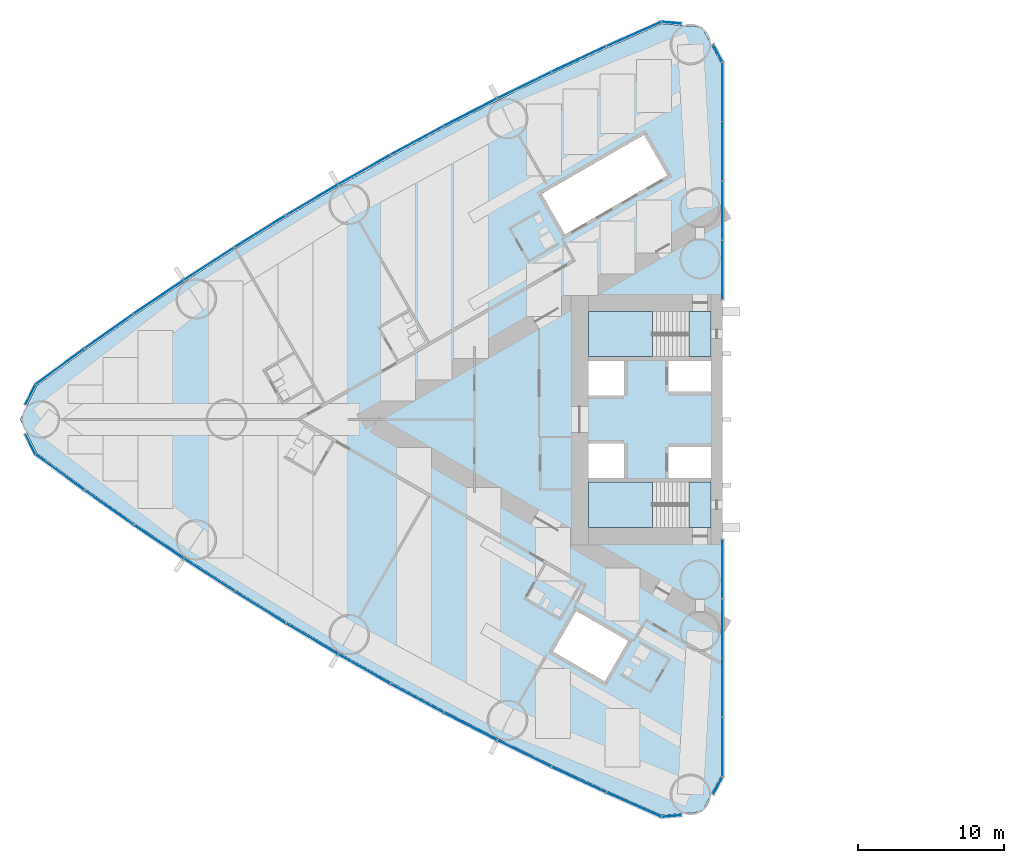
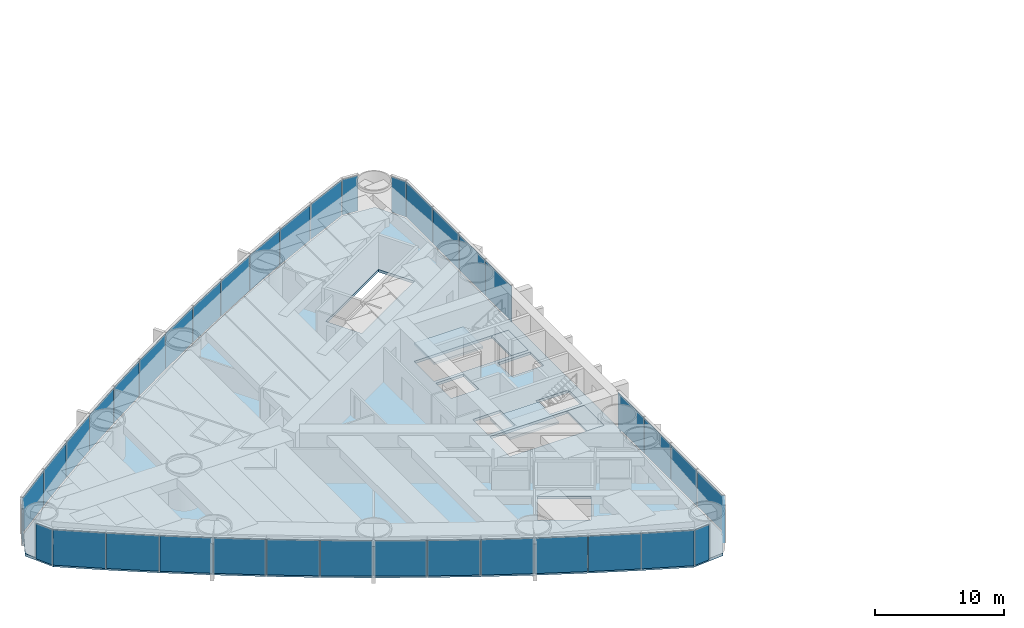
# One storey, part 9 of 19: 38 plates, 5 slabs, 6 elements without a shape of their own.
"""IFC4 building model written with IfcOpenShell, lengths in metres."""

from ifc_helpers import new_model, si_unit, direction, frame, origin, origin_2d, place, context, subcontext, project, spatial, polyline, rectangle, outline, extrude, material, layer, layer_set, type_object, element, aggregate, save


model = new_model("IFC4")

# Units and contexts
model_context = context("Model", 3, precision=1e-05, world=origin(), true_north=direction((0.0, 1.0)))
body_context = subcontext(model_context, "Body", "Model", "MODEL_VIEW")
ifc_project = project(units=[si_unit("LENGTHUNIT", "METRE"), si_unit("AREAUNIT", "SQUARE_METRE"), si_unit("VOLUMEUNIT", "CUBIC_METRE"), si_unit("PLANEANGLEUNIT", "RADIAN"), si_unit("MASSUNIT", "GRAM", prefix="KILO")], contexts=[model_context])

# Site, building, storey
site_placement = place(None, origin())
site = spatial("IfcSite", under=ifc_project, at=site_placement, CompositionType="ELEMENT")
building_placement = place(site_placement, origin())
building = spatial("IfcBuilding", under=site, at=building_placement, Name="Lancet Gate Hotel", CompositionType="ELEMENT")
storey_placement = place(building_placement, frame((0.0, 0.0, 67.0)))
storey = spatial("IfcBuildingStorey", under=building, at=storey_placement, Name="L17", CompositionType="ELEMENT", Elevation=67.0)

# Slab
ifc_material_1 = material(Name="Concrete C50/60", Category="concrete")
ifc_layer_1 = layer(ifc_material_1, 0.25)
ifc_layer_set_1 = layer_set([ifc_layer_1], Name="Floor slab 250")
slab_type_1 = type_object("IfcSlabType", Name="Floor slab 250", PredefinedType="FLOOR", material=ifc_layer_set_1)
slab_1_placement = place(storey_placement, frame((0.0, 0.0, -0.25)))
element("IfcSlab", 1, at=slab_1_placement, inside=storey, type_object=slab_type_1, Name="T1 L17 floor slab", PredefinedType="FLOOR", context=body_context, shape_type="SweptSolid", body=[
    extrude(outline(polyline([(-27.5, 8.60009765625), (-27.6201171875, 8.60009765625), (-27.6201171875, 24.4609375), (-28.926513671875, 26.8837890625), (-31.668212890625, 27.12353515625), (-35.424072265625, 25.458740234375), (-39.173583984375, 23.70849609375), (-42.887939453125, 21.884765625), (-46.56591796875, 19.98876953125), (-50.2060546875, 18.02099609375), (-53.806884765625, 15.982421875), (-57.366943359375, 13.87353515625), (-60.88525390625, 11.695068359375), (-64.360107421875, 9.448486328125), (-67.7900390625, 7.134033203125), (-71.17431640625, 4.752685546875), (-74.488525390625, 2.322021484375), (-75.65087890625, 0.0), (-74.488525390625, -2.322021484375), (-71.17431640625, -4.752685546875), (-67.7900390625, -7.134033203125), (-64.360107421875, -9.448486328125), (-60.88525390625, -11.695068359375), (-57.366943359375, -13.87353515625), (-53.806884765625, -15.982421875), (-50.2060546875, -18.02099609375), (-46.56591796875, -19.98876953125), (-42.887939453125, -21.884765625), (-39.173583984375, -23.70849609375), (-35.424072265625, -25.458740234375), (-31.668212890625, -27.12353515625), (-28.926513671875, -26.8837890625), (-27.6201171875, -24.4609375), (-27.6201171875, -8.60009765625), (-27.5, -8.60009765625), (-27.5, -8.199951171875), (-27.5, 8.199951171875), (-27.5, 8.60009765625)]), holes=[polyline([(-36.699951171875, 7.39990234375), (-36.699951171875, 4.300048828125), (-28.300048828125, 4.300048828125), (-28.300048828125, 7.39990234375), (-36.699951171875, 7.39990234375)]), polyline([(-28.300048828125, 4.0), (-31.199951171875, 4.0), (-31.199951171875, 1.89990234375), (-28.300048828125, 1.89990234375), (-28.300048828125, 4.0)]), polyline([(-34.25, 4.0), (-36.699951171875, 4.0), (-36.699951171875, 1.64990234375), (-34.25, 1.64990234375), (-34.25, 4.0)]), polyline([(-36.699951171875, -1.64990234375), (-36.699951171875, -4.0), (-34.25, -4.0), (-34.25, -1.64990234375), (-36.699951171875, -1.64990234375)]), polyline([(-28.300048828125, -1.89990234375), (-31.199951171875, -1.89990234375), (-31.199951171875, -4.0), (-28.300048828125, -4.0), (-28.300048828125, -1.89990234375)]), polyline([(-28.300048828125, -4.300048828125), (-36.699951171875, -4.300048828125), (-36.699951171875, -7.39990234375), (-28.300048828125, -7.39990234375), (-28.300048828125, -4.300048828125)]), polyline([(-31.2900390625, 16.73095703125), (-32.889892578125, 19.501953125), (-39.904052734375, 15.451904296875), (-38.303955078125, 12.680908203125), (-31.2900390625, 16.73095703125)]), polyline([(-33.97412109375, -15.180908203125), (-37.52490234375, -13.131103515625), (-39.125, -15.902099609375), (-35.573974609375, -17.951904296875), (-33.97412109375, -15.180908203125)])]), origin(), (0.0, 0.0, 1.0), 0.25),
])

# Stair, slabs
ifc_material_2 = material(Name="Exit stair 20 risers 1500")
stair_type = type_object("IfcStairType", Name="Exit stair 20 risers 1500", PredefinedType="HALF_TURN_STAIR", material=ifc_material_2)
stair_1_placement = place(storey_placement, origin())
stair_1 = element("IfcStair", 2, at=stair_1_placement, inside=storey, type_object=stair_type, Name="T1 stair 1 L17", PredefinedType="HALF_TURN_STAIR")
ifc_material_3 = material(Name="Concrete C40/50", Category="concrete")
ifc_layer_2 = layer(ifc_material_3, 0.199951171875)
ifc_layer_set_2 = layer_set([ifc_layer_2], Name="Stair landing 200")
slab_type_2 = type_object("IfcSlabType", Name="Stair landing 200", PredefinedType="LANDING", material=ifc_layer_set_2)
slab_2_placement = place(storey_placement, frame((0.0, 0.0, -0.199951171875)))
slab_2 = element("IfcSlab", 3, at=slab_2_placement, type_object=slab_type_2, Name="ST1 landing 1", PredefinedType="LANDING", context=body_context, shape_type="SweptSolid", body=[
    extrude(outline(polyline([(-28.300048828125, 7.39990234375), (-29.800048828125, 7.39990234375), (-29.800048828125, 4.300048828125), (-28.300048828125, 4.300048828125), (-28.300048828125, 7.39990234375)])), origin(), (0.0, 0.0, 1.0), 0.199951171875),
])
slab_3_placement = place(storey_placement, frame((0.0, 0.0, 1.550048828125)))
slab_3 = element("IfcSlab", 4, at=slab_3_placement, type_object=slab_type_2, Name="ST1 landing 2", PredefinedType="LANDING", context=body_context, shape_type="SweptSolid", body=[
    extrude(outline(polyline([(-32.320068359375, 7.39990234375), (-36.699951171875, 7.39990234375), (-36.699951171875, 4.300048828125), (-32.320068359375, 4.300048828125), (-32.320068359375, 7.39990234375)])), origin(), (0.0, 0.0, 1.0), 0.199951171875),
])
aggregate(stair_1, [slab_2, slab_3])

stair_2_placement = place(storey_placement, origin())
stair_2 = element("IfcStair", 5, at=stair_2_placement, inside=storey, type_object=stair_type, Name="T1 stair 2 L17", PredefinedType="HALF_TURN_STAIR")
slab_4_placement = place(storey_placement, frame((0.0, 0.0, -0.199951171875)))
slab_4 = element("IfcSlab", 6, at=slab_4_placement, type_object=slab_type_2, Name="ST2 landing 1", PredefinedType="LANDING", context=body_context, shape_type="SweptSolid", body=[
    extrude(outline(polyline([(-28.300048828125, -4.300048828125), (-29.800048828125, -4.300048828125), (-29.800048828125, -7.39990234375), (-28.300048828125, -7.39990234375), (-28.300048828125, -4.300048828125)])), origin(), (0.0, 0.0, 1.0), 0.199951171875),
])
slab_5_placement = place(storey_placement, frame((0.0, 0.0, 1.550048828125)))
slab_5 = element("IfcSlab", 7, at=slab_5_placement, type_object=slab_type_2, Name="ST2 landing 2", PredefinedType="LANDING", context=body_context, shape_type="SweptSolid", body=[
    extrude(outline(polyline([(-32.320068359375, -4.300048828125), (-36.699951171875, -4.300048828125), (-36.699951171875, -7.39990234375), (-32.320068359375, -7.39990234375), (-32.320068359375, -4.300048828125)])), origin(), (0.0, 0.0, 1.0), 0.199951171875),
])
aggregate(stair_2, [slab_4, slab_5])

# Curtain wall, plates
ifc_material_4 = material(Name="Aluminium curtain wall", Category="aluminium")
curtain_wall_type = type_object("IfcCurtainWallType", Name="Tower unitised curtain wall", PredefinedType="USERDEFINED", material=ifc_material_4)
curtain_wall_1_placement = place(storey_placement, origin())
curtain_wall_1 = element("IfcCurtainWall", 8, at=curtain_wall_1_placement, inside=storey, type_object=curtain_wall_type, Name="T1 L17 curtain wall 1", ObjectType="UNITISED CURTAIN WALL", PredefinedType="USERDEFINED")
ifc_material_5 = material(Name="Glass double glazed unit 8-16-6", Category="glass")
ifc_layer_3 = layer(ifc_material_5, 0.030029296875)
ifc_layer_set_3 = layer_set([ifc_layer_3], Name="Vision panel double glazed")
plate_type = type_object("IfcPlateType", Name="Vision panel double glazed", PredefinedType="CURTAIN_PANEL", material=ifc_layer_set_3)
plate_1_placement = place(storey_placement, frame((-27.5, 10.236328125, 0.0), z_axis=(0.0, 0.0, 1.0), x_axis=(0.0, 1.0, 0.0)))
plate_1 = element("IfcPlate", 9, at=plate_1_placement, type_object=plate_type, Name="T1 L17 curtain wall 1 panel 1", PredefinedType="CURTAIN_PANEL", context=body_context, shape_type="SweptSolid", body=[
    extrude(rectangle(XDim=4.0078125, YDim=0.030029296875, at=origin_2d()), origin(), (0.0, 0.0, 1.0), 3.35009765625),
])
plate_2_placement = place(storey_placement, frame((-27.5, 14.30908203125, 0.0), z_axis=(0.0, 0.0, 1.0), x_axis=(0.0, 1.0, 0.0)))
plate_2 = element("IfcPlate", 10, at=plate_2_placement, type_object=plate_type, Name="T1 L17 curtain wall 1 panel 2", PredefinedType="CURTAIN_PANEL", context=body_context, shape_type="SweptSolid", body=[
    extrude(rectangle(XDim=4.0078125, YDim=0.030029296875, at=origin_2d()), origin(), (0.0, 0.0, 1.0), 3.35009765625),
])
plate_3_placement = place(storey_placement, frame((-27.5, 18.382080078125, 0.0), z_axis=(0.0, 0.0, 1.0), x_axis=(0.0, 1.0, 0.0)))
plate_3 = element("IfcPlate", 11, at=plate_3_placement, type_object=plate_type, Name="T1 L17 curtain wall 1 panel 3", PredefinedType="CURTAIN_PANEL", context=body_context, shape_type="SweptSolid", body=[
    extrude(rectangle(XDim=4.0078125, YDim=0.030029296875, at=origin_2d()), origin(), (0.0, 0.0, 1.0), 3.35009765625),
])
plate_4_placement = place(storey_placement, frame((-27.5, 22.454833984375, 0.0), z_axis=(0.0, 0.0, 1.0), x_axis=(0.0, 1.0, 0.0)))
plate_4 = element("IfcPlate", 12, at=plate_4_placement, type_object=plate_type, Name="T1 L17 curtain wall 1 panel 4", PredefinedType="CURTAIN_PANEL", context=body_context, shape_type="SweptSolid", body=[
    extrude(rectangle(XDim=4.0078125, YDim=0.030029296875, at=origin_2d()), origin(), (0.0, 0.0, 1.0), 3.35009765625),
])
plate_5_placement = place(storey_placement, frame((-27.829345703125, 25.10205078125, 0.0), z_axis=(0.0, 0.0, 1.0), x_axis=(-0.474631040972, 0.880184852714, 0.0)))
plate_5 = element("IfcPlate", 13, at=plate_5_placement, type_object=plate_type, Name="T1 L17 curtain wall 1 panel 5", PredefinedType="CURTAIN_PANEL", context=body_context, shape_type="SweptSolid", body=[
    extrude(rectangle(XDim=1.322998046875, YDim=0.030029296875, at=origin_2d()), origin(), (0.0, 0.0, 1.0), 3.35009765625),
])
aggregate(curtain_wall_1, [plate_1, plate_2, plate_3, plate_4, plate_5])

curtain_wall_2_placement = place(storey_placement, origin())
curtain_wall_2 = element("IfcCurtainWall", 14, at=curtain_wall_2_placement, inside=storey, type_object=curtain_wall_type, Name="T1 L17 curtain wall 2", ObjectType="UNITISED CURTAIN WALL", PredefinedType="USERDEFINED")
plate_6_placement = place(storey_placement, frame((-30.99658203125, 27.185302734375, 0.0), z_axis=(0.0, 0.0, 1.0), x_axis=(-0.99620380374, 0.087051602022, 0.0)))
plate_6 = element("IfcPlate", 15, at=plate_6_placement, type_object=plate_type, Name="T1 L17 curtain wall 2 panel 1", PredefinedType="CURTAIN_PANEL", context=body_context, shape_type="SweptSolid", body=[
    extrude(rectangle(XDim=1.32421875, YDim=0.030029296875, at=origin_2d()), origin(), (0.0, 0.0, 1.0), 3.35009765625),
])
plate_7_placement = place(storey_placement, frame((-33.581298828125, 26.406982421875, 0.0), z_axis=(0.0, 0.0, 1.0), x_axis=(-0.914234183208, -0.405186201954, 0.0)))
plate_7 = element("IfcPlate", 16, at=plate_7_placement, type_object=plate_type, Name="T1 L17 curtain wall 2 panel 2", PredefinedType="CURTAIN_PANEL", context=body_context, shape_type="SweptSolid", body=[
    extrude(rectangle(XDim=4.0751953125, YDim=0.030029296875, at=origin_2d()), origin(), (0.0, 0.0, 1.0), 3.35009765625),
])
plate_8_placement = place(storey_placement, frame((-37.349609375, 24.6923828125, 0.0), z_axis=(0.0, 0.0, 1.0), x_axis=(-0.906117767284, -0.423025521467, 0.0)))
plate_8 = element("IfcPlate", 17, at=plate_8_placement, type_object=plate_type, Name="T1 L17 curtain wall 2 panel 3", PredefinedType="CURTAIN_PANEL", context=body_context, shape_type="SweptSolid", body=[
    extrude(rectangle(XDim=4.0751953125, YDim=0.030029296875, at=origin_2d()), origin(), (0.0, 0.0, 1.0), 3.35009765625),
])
plate_9_placement = place(storey_placement, frame((-41.083740234375, 22.904296875, 0.0), z_axis=(0.0, 0.0, 1.0), x_axis=(-0.897653295642, -0.440702349463, 0.0)))
plate_9 = element("IfcPlate", 18, at=plate_9_placement, type_object=plate_type, Name="T1 L17 curtain wall 2 panel 4", PredefinedType="CURTAIN_PANEL", context=body_context, shape_type="SweptSolid", body=[
    extrude(rectangle(XDim=4.0751953125, YDim=0.030029296875, at=origin_2d()), origin(), (0.0, 0.0, 1.0), 3.35009765625),
])
plate_10_placement = place(storey_placement, frame((-44.781982421875, 21.04345703125, 0.0), z_axis=(0.0, 0.0, 1.0), x_axis=(-0.888844019644, -0.458209895946, 0.0)))
plate_10 = element("IfcPlate", 19, at=plate_10_placement, type_object=plate_type, Name="T1 L17 curtain wall 2 panel 5", PredefinedType="CURTAIN_PANEL", context=body_context, shape_type="SweptSolid", body=[
    extrude(rectangle(XDim=4.0751953125, YDim=0.030029296875, at=origin_2d()), origin(), (0.0, 0.0, 1.0), 3.35009765625),
])
plate_11_placement = place(storey_placement, frame((-48.443115234375, 19.110595703125, 0.0), z_axis=(0.0, 0.0, 1.0), x_axis=(-0.87969332307, -0.475541435993, 0.0)))
plate_11 = element("IfcPlate", 20, at=plate_11_placement, type_object=plate_type, Name="T1 L17 curtain wall 2 panel 6", PredefinedType="CURTAIN_PANEL", context=body_context, shape_type="SweptSolid", body=[
    extrude(rectangle(XDim=4.0751953125, YDim=0.030029296875, at=origin_2d()), origin(), (0.0, 0.0, 1.0), 3.35009765625),
])
plate_12_placement = place(storey_placement, frame((-52.065673828125, 17.106201171875, 0.0), z_axis=(0.0, 0.0, 1.0), x_axis=(-0.870204720871, -0.492690312238, 0.0)))
plate_12 = element("IfcPlate", 21, at=plate_12_placement, type_object=plate_type, Name="T1 L17 curtain wall 2 panel 7", PredefinedType="CURTAIN_PANEL", context=body_context, shape_type="SweptSolid", body=[
    extrude(rectangle(XDim=4.0751953125, YDim=0.030029296875, at=origin_2d()), origin(), (0.0, 0.0, 1.0), 3.35009765625),
])
plate_13_placement = place(storey_placement, frame((-55.648193359375, 15.031005859375, 0.0), z_axis=(0.0, 0.0, 1.0), x_axis=(-0.860381857795, -0.509649937484, 0.0)))
plate_13 = element("IfcPlate", 22, at=plate_13_placement, type_object=plate_type, Name="T1 L17 curtain wall 2 panel 8", PredefinedType="CURTAIN_PANEL", context=body_context, shape_type="SweptSolid", body=[
    extrude(rectangle(XDim=4.0751953125, YDim=0.030029296875, at=origin_2d()), origin(), (0.0, 0.0, 1.0), 3.35009765625),
])
plate_14_placement = place(storey_placement, frame((-59.189208984375, 12.88623046875, 0.0), z_axis=(0.0, 0.0, 1.0), x_axis=(-0.850228506958, -0.52641379727, 0.0)))
plate_14 = element("IfcPlate", 23, at=plate_14_placement, type_object=plate_type, Name="T1 L17 curtain wall 2 panel 9", PredefinedType="CURTAIN_PANEL", context=body_context, shape_type="SweptSolid", body=[
    extrude(rectangle(XDim=4.0751953125, YDim=0.030029296875, at=origin_2d()), origin(), (0.0, 0.0, 1.0), 3.35009765625),
])
plate_15_placement = place(storey_placement, frame((-62.687744140625, 10.672607421875, 0.0), z_axis=(0.0, 0.0, 1.0), x_axis=(-0.839748568448, -0.54297545229, 0.0)))
plate_15 = element("IfcPlate", 24, at=plate_15_placement, type_object=plate_type, Name="T1 L17 curtain wall 2 panel 10", PredefinedType="CURTAIN_PANEL", context=body_context, shape_type="SweptSolid", body=[
    extrude(rectangle(XDim=4.0751953125, YDim=0.030029296875, at=origin_2d()), origin(), (0.0, 0.0, 1.0), 3.35009765625),
])
plate_16_placement = place(storey_placement, frame((-66.142333984375, 8.390625, 0.0), z_axis=(0.0, 0.0, 1.0), x_axis=(-0.828946067803, -0.559328540907, 0.0)))
plate_16 = element("IfcPlate", 25, at=plate_16_placement, type_object=plate_type, Name="T1 L17 curtain wall 2 panel 11", PredefinedType="CURTAIN_PANEL", context=body_context, shape_type="SweptSolid", body=[
    extrude(rectangle(XDim=4.0751953125, YDim=0.030029296875, at=origin_2d()), origin(), (0.0, 0.0, 1.0), 3.35009765625),
])
plate_17_placement = place(storey_placement, frame((-69.55126953125, 6.04150390625, 0.0), z_axis=(0.0, 0.0, 1.0), x_axis=(-0.817825154435, -0.575466781642, 0.0)))
plate_17 = element("IfcPlate", 26, at=plate_17_placement, type_object=plate_type, Name="T1 L17 curtain wall 2 panel 12", PredefinedType="CURTAIN_PANEL", context=body_context, shape_type="SweptSolid", body=[
    extrude(rectangle(XDim=4.0751953125, YDim=0.030029296875, at=origin_2d()), origin(), (0.0, 0.0, 1.0), 3.35009765625),
])
plate_18_placement = place(storey_placement, frame((-72.91357421875, 3.6259765625, 0.0), z_axis=(0.0, 0.0, 1.0), x_axis=(-0.80639010009, -0.591383975499, 0.0)))
plate_18 = element("IfcPlate", 27, at=plate_18_placement, type_object=plate_type, Name="T1 L17 curtain wall 2 panel 13", PredefinedType="CURTAIN_PANEL", context=body_context, shape_type="SweptSolid", body=[
    extrude(rectangle(XDim=4.0751953125, YDim=0.030029296875, at=origin_2d()), origin(), (0.0, 0.0, 1.0), 3.35009765625),
])
plate_19_placement = place(storey_placement, frame((-74.93505859375, 1.6982421875, 0.0), z_axis=(0.0, 0.0, 1.0), x_axis=(-0.447628324726, -0.89421970617, 0.0)))
plate_19 = element("IfcPlate", 28, at=plate_19_placement, type_object=plate_type, Name="T1 L17 curtain wall 2 panel 14", PredefinedType="CURTAIN_PANEL", context=body_context, shape_type="SweptSolid", body=[
    extrude(rectangle(XDim=1.50830078125, YDim=0.030029296875, at=origin_2d()), origin(), (0.0, 0.0, 1.0), 3.35009765625),
])
aggregate(curtain_wall_2, [plate_6, plate_7, plate_8, plate_9, plate_10, plate_11, plate_12, plate_13, plate_14, plate_15, plate_16, plate_17, plate_18, plate_19])

curtain_wall_3_placement = place(storey_placement, origin())
curtain_wall_3 = element("IfcCurtainWall", 29, at=curtain_wall_3_placement, inside=storey, type_object=curtain_wall_type, Name="T1 L17 curtain wall 3", ObjectType="UNITISED CURTAIN WALL", PredefinedType="USERDEFINED")
plate_20_placement = place(storey_placement, frame((-74.93505859375, -1.6982421875, 0.0), z_axis=(0.0, 0.0, 1.0), x_axis=(0.447628324726, -0.89421970617, 0.0)))
plate_20 = element("IfcPlate", 30, at=plate_20_placement, type_object=plate_type, Name="T1 L17 curtain wall 3 panel 1", PredefinedType="CURTAIN_PANEL", context=body_context, shape_type="SweptSolid", body=[
    extrude(rectangle(XDim=1.50830078125, YDim=0.030029296875, at=origin_2d()), origin(), (0.0, 0.0, 1.0), 3.35009765625),
])
plate_21_placement = place(storey_placement, frame((-72.91357421875, -3.6259765625, 0.0), z_axis=(0.0, 0.0, 1.0), x_axis=(0.80639010009, -0.591383975499, 0.0)))
plate_21 = element("IfcPlate", 31, at=plate_21_placement, type_object=plate_type, Name="T1 L17 curtain wall 3 panel 2", PredefinedType="CURTAIN_PANEL", context=body_context, shape_type="SweptSolid", body=[
    extrude(rectangle(XDim=4.0751953125, YDim=0.030029296875, at=origin_2d()), origin(), (0.0, 0.0, 1.0), 3.35009765625),
])
plate_22_placement = place(storey_placement, frame((-69.55126953125, -6.04150390625, 0.0), z_axis=(0.0, 0.0, 1.0), x_axis=(0.817825154435, -0.575466781642, 0.0)))
plate_22 = element("IfcPlate", 32, at=plate_22_placement, type_object=plate_type, Name="T1 L17 curtain wall 3 panel 3", PredefinedType="CURTAIN_PANEL", context=body_context, shape_type="SweptSolid", body=[
    extrude(rectangle(XDim=4.0751953125, YDim=0.030029296875, at=origin_2d()), origin(), (0.0, 0.0, 1.0), 3.35009765625),
])
plate_23_placement = place(storey_placement, frame((-66.142333984375, -8.390625, 0.0), z_axis=(0.0, 0.0, 1.0), x_axis=(0.828946067803, -0.559328540907, 0.0)))
plate_23 = element("IfcPlate", 33, at=plate_23_placement, type_object=plate_type, Name="T1 L17 curtain wall 3 panel 4", PredefinedType="CURTAIN_PANEL", context=body_context, shape_type="SweptSolid", body=[
    extrude(rectangle(XDim=4.0751953125, YDim=0.030029296875, at=origin_2d()), origin(), (0.0, 0.0, 1.0), 3.35009765625),
])
plate_24_placement = place(storey_placement, frame((-62.687744140625, -10.672607421875, 0.0), z_axis=(0.0, 0.0, 1.0), x_axis=(0.839748568448, -0.54297545229, 0.0)))
plate_24 = element("IfcPlate", 34, at=plate_24_placement, type_object=plate_type, Name="T1 L17 curtain wall 3 panel 5", PredefinedType="CURTAIN_PANEL", context=body_context, shape_type="SweptSolid", body=[
    extrude(rectangle(XDim=4.0751953125, YDim=0.030029296875, at=origin_2d()), origin(), (0.0, 0.0, 1.0), 3.35009765625),
])
plate_25_placement = place(storey_placement, frame((-59.189208984375, -12.88623046875, 0.0), z_axis=(0.0, 0.0, 1.0), x_axis=(0.850228506958, -0.52641379727, 0.0)))
plate_25 = element("IfcPlate", 35, at=plate_25_placement, type_object=plate_type, Name="T1 L17 curtain wall 3 panel 6", PredefinedType="CURTAIN_PANEL", context=body_context, shape_type="SweptSolid", body=[
    extrude(rectangle(XDim=4.0751953125, YDim=0.030029296875, at=origin_2d()), origin(), (0.0, 0.0, 1.0), 3.35009765625),
])
plate_26_placement = place(storey_placement, frame((-55.648193359375, -15.031005859375, 0.0), z_axis=(0.0, 0.0, 1.0), x_axis=(0.860381857795, -0.509649937484, 0.0)))
plate_26 = element("IfcPlate", 36, at=plate_26_placement, type_object=plate_type, Name="T1 L17 curtain wall 3 panel 7", PredefinedType="CURTAIN_PANEL", context=body_context, shape_type="SweptSolid", body=[
    extrude(rectangle(XDim=4.0751953125, YDim=0.030029296875, at=origin_2d()), origin(), (0.0, 0.0, 1.0), 3.35009765625),
])
plate_27_placement = place(storey_placement, frame((-52.065673828125, -17.106201171875, 0.0), z_axis=(0.0, 0.0, 1.0), x_axis=(0.870204720871, -0.492690312238, 0.0)))
plate_27 = element("IfcPlate", 37, at=plate_27_placement, type_object=plate_type, Name="T1 L17 curtain wall 3 panel 8", PredefinedType="CURTAIN_PANEL", context=body_context, shape_type="SweptSolid", body=[
    extrude(rectangle(XDim=4.0751953125, YDim=0.030029296875, at=origin_2d()), origin(), (0.0, 0.0, 1.0), 3.35009765625),
])
plate_28_placement = place(storey_placement, frame((-48.443115234375, -19.110595703125, 0.0), z_axis=(0.0, 0.0, 1.0), x_axis=(0.87969332307, -0.475541435993, 0.0)))
plate_28 = element("IfcPlate", 38, at=plate_28_placement, type_object=plate_type, Name="T1 L17 curtain wall 3 panel 9", PredefinedType="CURTAIN_PANEL", context=body_context, shape_type="SweptSolid", body=[
    extrude(rectangle(XDim=4.0751953125, YDim=0.030029296875, at=origin_2d()), origin(), (0.0, 0.0, 1.0), 3.35009765625),
])
plate_29_placement = place(storey_placement, frame((-44.781982421875, -21.04345703125, 0.0), z_axis=(0.0, 0.0, 1.0), x_axis=(0.888844019644, -0.458209895946, 0.0)))
plate_29 = element("IfcPlate", 39, at=plate_29_placement, type_object=plate_type, Name="T1 L17 curtain wall 3 panel 10", PredefinedType="CURTAIN_PANEL", context=body_context, shape_type="SweptSolid", body=[
    extrude(rectangle(XDim=4.0751953125, YDim=0.030029296875, at=origin_2d()), origin(), (0.0, 0.0, 1.0), 3.35009765625),
])
plate_30_placement = place(storey_placement, frame((-41.083740234375, -22.904296875, 0.0), z_axis=(0.0, 0.0, 1.0), x_axis=(0.897653295642, -0.440702349463, 0.0)))
plate_30 = element("IfcPlate", 40, at=plate_30_placement, type_object=plate_type, Name="T1 L17 curtain wall 3 panel 11", PredefinedType="CURTAIN_PANEL", context=body_context, shape_type="SweptSolid", body=[
    extrude(rectangle(XDim=4.0751953125, YDim=0.030029296875, at=origin_2d()), origin(), (0.0, 0.0, 1.0), 3.35009765625),
])
plate_31_placement = place(storey_placement, frame((-37.349609375, -24.6923828125, 0.0), z_axis=(0.0, 0.0, 1.0), x_axis=(0.906117767284, -0.423025521467, 0.0)))
plate_31 = element("IfcPlate", 41, at=plate_31_placement, type_object=plate_type, Name="T1 L17 curtain wall 3 panel 12", PredefinedType="CURTAIN_PANEL", context=body_context, shape_type="SweptSolid", body=[
    extrude(rectangle(XDim=4.0751953125, YDim=0.030029296875, at=origin_2d()), origin(), (0.0, 0.0, 1.0), 3.35009765625),
])
plate_32_placement = place(storey_placement, frame((-33.581298828125, -26.406982421875, 0.0), z_axis=(0.0, 0.0, 1.0), x_axis=(0.914234183208, -0.405186201954, 0.0)))
plate_32 = element("IfcPlate", 42, at=plate_32_placement, type_object=plate_type, Name="T1 L17 curtain wall 3 panel 13", PredefinedType="CURTAIN_PANEL", context=body_context, shape_type="SweptSolid", body=[
    extrude(rectangle(XDim=4.0751953125, YDim=0.030029296875, at=origin_2d()), origin(), (0.0, 0.0, 1.0), 3.35009765625),
])
plate_33_placement = place(storey_placement, frame((-30.99658203125, -27.185302734375, 0.0), z_axis=(0.0, 0.0, 1.0), x_axis=(0.99620380374, 0.087051602022, 0.0)))
plate_33 = element("IfcPlate", 43, at=plate_33_placement, type_object=plate_type, Name="T1 L17 curtain wall 3 panel 14", PredefinedType="CURTAIN_PANEL", context=body_context, shape_type="SweptSolid", body=[
    extrude(rectangle(XDim=1.32421875, YDim=0.030029296875, at=origin_2d()), origin(), (0.0, 0.0, 1.0), 3.35009765625),
])
aggregate(curtain_wall_3, [plate_20, plate_21, plate_22, plate_23, plate_24, plate_25, plate_26, plate_27, plate_28, plate_29, plate_30, plate_31, plate_32, plate_33])

curtain_wall_4_placement = place(storey_placement, origin())
curtain_wall_4 = element("IfcCurtainWall", 44, at=curtain_wall_4_placement, inside=storey, type_object=curtain_wall_type, Name="T1 L17 curtain wall 4", ObjectType="UNITISED CURTAIN WALL", PredefinedType="USERDEFINED")
plate_34_placement = place(storey_placement, frame((-27.829345703125, -25.10205078125, 0.0), z_axis=(0.0, 0.0, 1.0), x_axis=(0.474631040972, 0.880184852714, 0.0)))
plate_34 = element("IfcPlate", 45, at=plate_34_placement, type_object=plate_type, Name="T1 L17 curtain wall 4 panel 1", PredefinedType="CURTAIN_PANEL", context=body_context, shape_type="SweptSolid", body=[
    extrude(rectangle(XDim=1.322998046875, YDim=0.030029296875, at=origin_2d()), origin(), (0.0, 0.0, 1.0), 3.35009765625),
])
plate_35_placement = place(storey_placement, frame((-27.5, -22.454833984375, 0.0), z_axis=(0.0, 0.0, 1.0), x_axis=(0.0, 1.0, 0.0)))
plate_35 = element("IfcPlate", 46, at=plate_35_placement, type_object=plate_type, Name="T1 L17 curtain wall 4 panel 2", PredefinedType="CURTAIN_PANEL", context=body_context, shape_type="SweptSolid", body=[
    extrude(rectangle(XDim=4.0078125, YDim=0.030029296875, at=origin_2d()), origin(), (0.0, 0.0, 1.0), 3.35009765625),
])
plate_36_placement = place(storey_placement, frame((-27.5, -18.382080078125, 0.0), z_axis=(0.0, 0.0, 1.0), x_axis=(0.0, 1.0, 0.0)))
plate_36 = element("IfcPlate", 47, at=plate_36_placement, type_object=plate_type, Name="T1 L17 curtain wall 4 panel 3", PredefinedType="CURTAIN_PANEL", context=body_context, shape_type="SweptSolid", body=[
    extrude(rectangle(XDim=4.0078125, YDim=0.030029296875, at=origin_2d()), origin(), (0.0, 0.0, 1.0), 3.35009765625),
])
plate_37_placement = place(storey_placement, frame((-27.5, -14.30908203125, 0.0), z_axis=(0.0, 0.0, 1.0), x_axis=(0.0, 1.0, 0.0)))
plate_37 = element("IfcPlate", 48, at=plate_37_placement, type_object=plate_type, Name="T1 L17 curtain wall 4 panel 4", PredefinedType="CURTAIN_PANEL", context=body_context, shape_type="SweptSolid", body=[
    extrude(rectangle(XDim=4.0078125, YDim=0.030029296875, at=origin_2d()), origin(), (0.0, 0.0, 1.0), 3.35009765625),
])
plate_38_placement = place(storey_placement, frame((-27.5, -10.236328125, 0.0), z_axis=(0.0, 0.0, 1.0), x_axis=(0.0, 1.0, 0.0)))
plate_38 = element("IfcPlate", 49, at=plate_38_placement, type_object=plate_type, Name="T1 L17 curtain wall 4 panel 5", PredefinedType="CURTAIN_PANEL", context=body_context, shape_type="SweptSolid", body=[
    extrude(rectangle(XDim=4.0078125, YDim=0.030029296875, at=origin_2d()), origin(), (0.0, 0.0, 1.0), 3.35009765625),
])
aggregate(curtain_wall_4, [plate_34, plate_35, plate_36, plate_37, plate_38])

save(model, "model.ifc")
